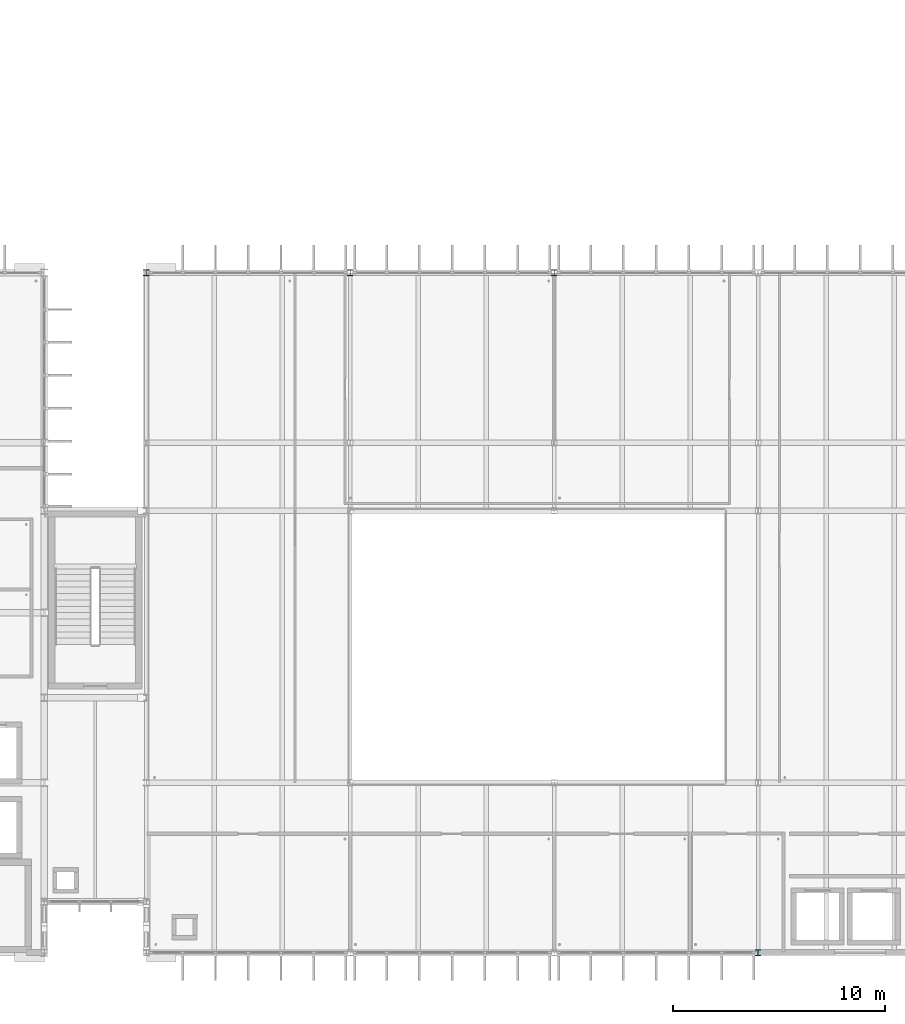
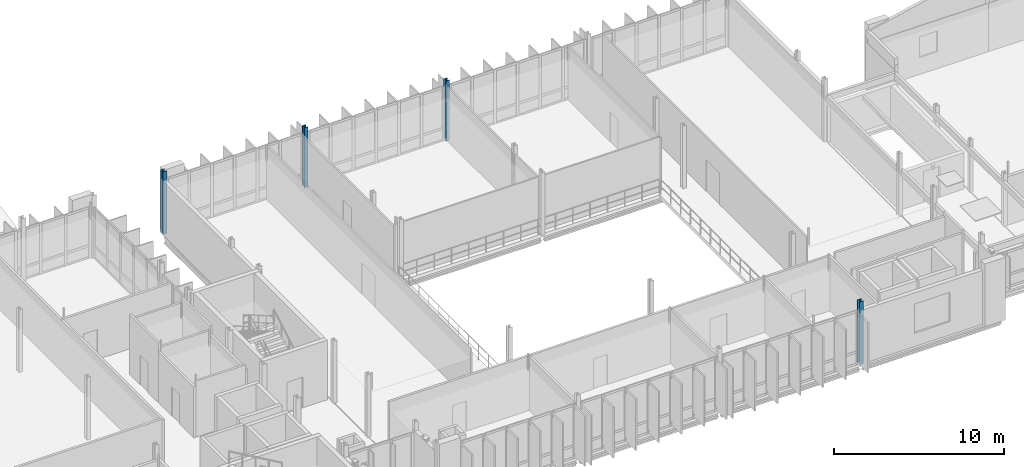
# One storey, part 4 of 59: 4 columns.
"""IFC4 building model written with IfcOpenShell, lengths in metres."""

from ifc_helpers import new_model, si_unit, direction, frame, origin, origin_2d, place, context, subcontext, project, spatial, i_section, extrude, material, material_profile, profile_set, type_object, element, save


model = new_model("IFC4")

# Units and contexts
model_context = context("Model", 3, precision=1e-05, world=origin(), true_north=direction((0.0, 1.0)))
body_context = subcontext(model_context, "Body", "Model", "MODEL_VIEW")
ifc_project = project(units=[si_unit("LENGTHUNIT", "METRE"), si_unit("AREAUNIT", "SQUARE_METRE"), si_unit("VOLUMEUNIT", "CUBIC_METRE"), si_unit("PLANEANGLEUNIT", "RADIAN"), si_unit("MASSUNIT", "GRAM", prefix="KILO")], contexts=[model_context])

# Site, building, storey
site_placement = place(None, origin())
site = spatial("IfcSite", under=ifc_project, at=site_placement, CompositionType="ELEMENT")
building_placement = place(site_placement, origin())
building = spatial("IfcBuilding", under=site, at=building_placement, Name="Dunescarp Central Library", CompositionType="ELEMENT")
storey_placement = place(building_placement, frame((0.0, 0.0, 18.60009765625)))
storey = spatial("IfcBuildingStorey", under=building, at=storey_placement, Name="L04", CompositionType="ELEMENT", Elevation=18.60009765625)

# Columns
ifc_material = material(Name="Steel S355JR", Category="steel")
ifc_material_profile = material_profile(ifc_material, i_section(OverallWidth=0.26123046875, OverallDepth=0.2763671875, WebThickness=0.015380859375, FlangeThickness=0.025390625, at=origin_2d()), Name="UC 254x254x132")
ifc_profile_set = profile_set([ifc_material_profile], Name="Steel S355JR")
column_type = type_object("IfcColumnType", Name="STR-COL-UC254X132", PredefinedType="COLUMN", material=ifc_profile_set)
column_1_placement = place(storey_placement, frame((38.39990234375, 36.800048828125, 0.0), z_axis=(0.0, 0.0, 1.0), x_axis=(1.0, 0.0, 0.0)))
element("IfcColumn", 1, at=column_1_placement, inside=storey, type_object=column_type, Name="L04 column V2-384-368", PredefinedType="COLUMN", context=body_context, shape_type="SweptSolid", body=[
    extrude(i_section(OverallWidth=0.26123046875, OverallDepth=0.2763671875, WebThickness=0.015380859375, FlangeThickness=0.025390625, at=origin_2d()), origin(), (0.0, 0.0, 1.0), 4.5),
])
for number, where, z_axis, x_axis, name in (
    (2, (48.0, 36.800048828125, 0.0), (0.0, 0.0, 1.0), (1.0, 0.0, 0.0), "L04 column V2-480-368"),
    (3, (57.60009765625, 36.800048828125, 0.0), (0.0, 0.0, 1.0), (1.0, 0.0, 0.0), "L04 column V2-576-368"),
):
    element("IfcColumn", number, at=place(storey_placement, frame(where, z_axis=z_axis, x_axis=x_axis)), inside=storey, type_object=column_type, Name=name, PredefinedType="COLUMN", context=body_context, shape_type="SweptSolid", body=[
        extrude(i_section(OverallWidth=0.26123046875, OverallDepth=0.2763671875, WebThickness=0.015380859375, FlangeThickness=0.025390625, at=origin_2d()), origin(), (0.0, 0.0, 1.0), 4.309814453125),
    ])
column_2_placement = place(storey_placement, frame((67.199951171875, 4.800048828125, 0.0), z_axis=(0.0, 0.0, 1.0), x_axis=(1.0, 0.0, 0.0)))
element("IfcColumn", 4, at=column_2_placement, inside=storey, type_object=column_type, Name="L04 column V2-672-48", PredefinedType="COLUMN", context=body_context, shape_type="SweptSolid", body=[
    extrude(i_section(OverallWidth=0.26123046875, OverallDepth=0.2763671875, WebThickness=0.015380859375, FlangeThickness=0.025390625, at=origin_2d()), origin(), (0.0, 0.0, 1.0), 4.5),
])

save(model, "model.ifc")
